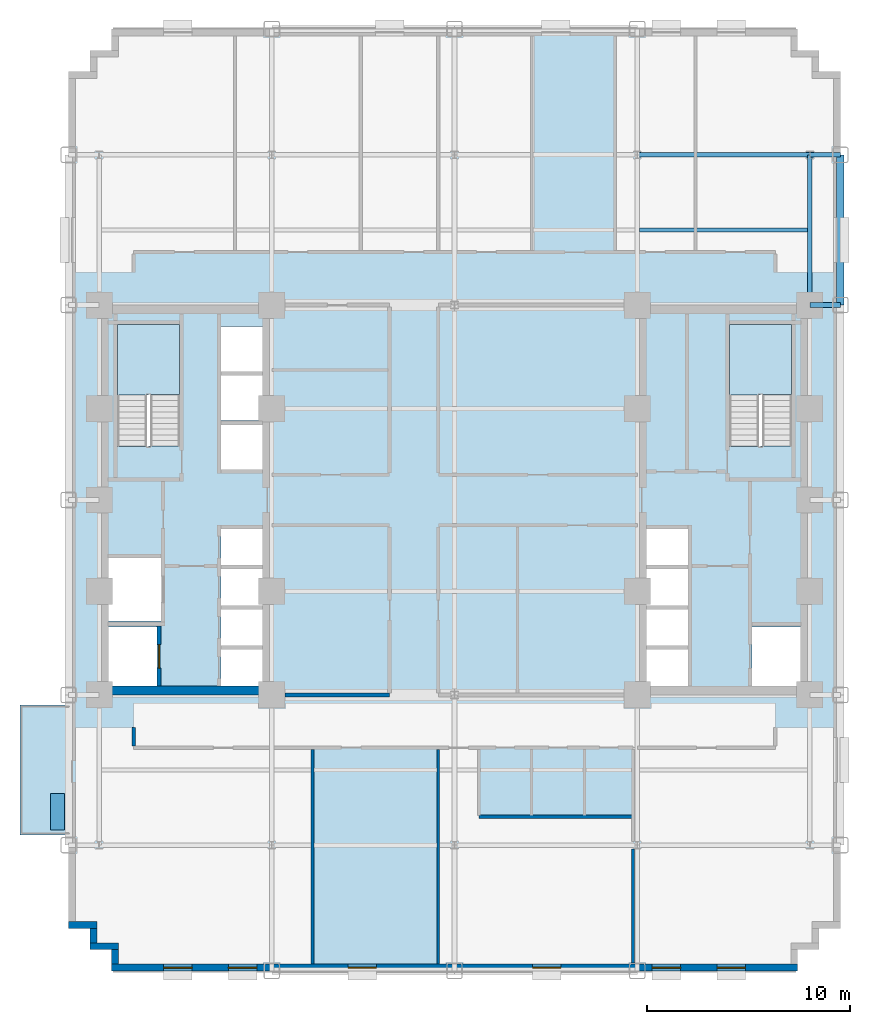
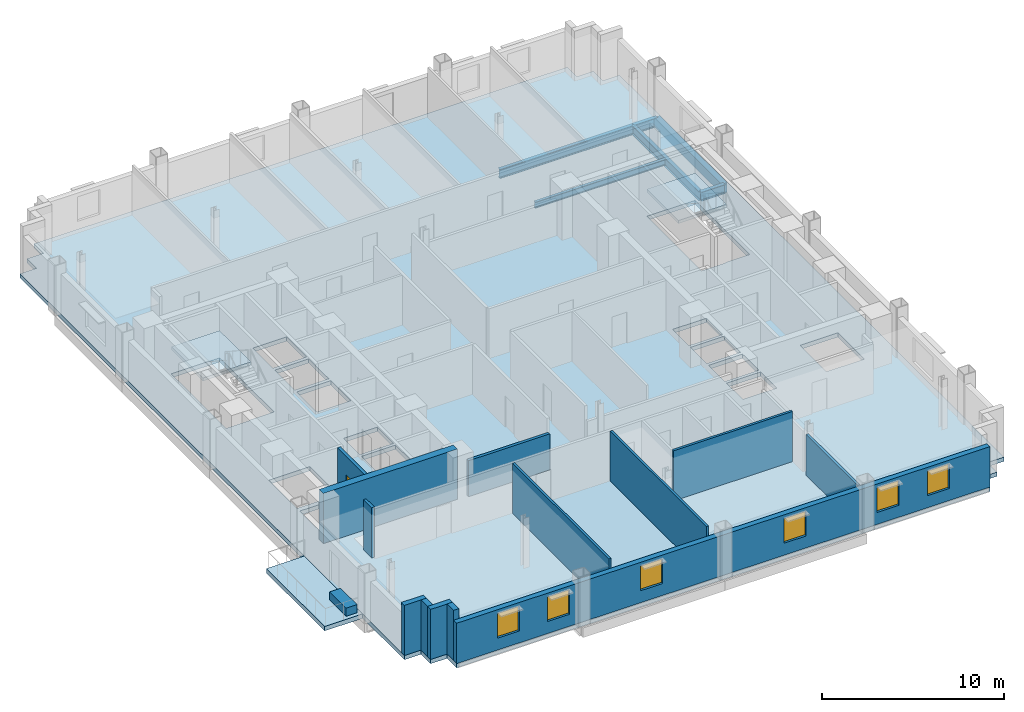
# One storey, part 4 of 12: 13 walls, 6 beams, 6 windows, 4 slabs, 1 door, 1 plate, 7 openings, 2 elements without a shape of their own.
"""IFC4 building model written with IfcOpenShell, lengths in metres."""

from ifc_helpers import new_model, si_unit, direction, frame, frame_2d, origin, origin_2d, place, context, subcontext, project, spatial, polyline, rectangle, i_section, outline, extrude, source, transform, mapped, material, layer, layer_set, material_profile, profile_set, type_object, type_shapes, element, fill, aggregate, save


model = new_model("IFC4")

# Units and contexts
model_context = context("Model", 3, precision=1e-05, world=origin(), true_north=direction((0.0, 1.0)))
body_context = subcontext(model_context, "Body", "Model", "MODEL_VIEW")
ifc_project = project(units=[si_unit("LENGTHUNIT", "METRE"), si_unit("AREAUNIT", "SQUARE_METRE"), si_unit("VOLUMEUNIT", "CUBIC_METRE"), si_unit("PLANEANGLEUNIT", "RADIAN"), si_unit("MASSUNIT", "GRAM", prefix="KILO")], contexts=[model_context])

# Site, building, storey
site_placement = place(None, origin())
site = spatial("IfcSite", under=ifc_project, at=site_placement, CompositionType="ELEMENT")
building_placement = place(site_placement, origin())
building = spatial("IfcBuilding", under=site, at=building_placement, Name="Nuvemarco Arch Tower", CompositionType="ELEMENT")
storey_placement = place(building_placement, frame((0.0, 0.0, 31.25)))
storey = spatial("IfcBuildingStorey", under=building, at=storey_placement, Name="L07", CompositionType="ELEMENT", Elevation=31.25)

# Beams
ifc_material_1 = material(Name="Steel S355", Category="steel")
ifc_material_profile_1 = material_profile(ifc_material_1, i_section(OverallWidth=0.22998046875, OverallDepth=0.616943359375, WebThickness=0.01318359375, FlangeThickness=0.022216796875, FilletRadius=0.01611328125, at=origin_2d()), Name="W610x140")
ifc_profile_set_1 = profile_set([ifc_material_profile_1], Name="Steel S355")
beam_type_1 = type_object("IfcBeamType", Name="BM-GIRD-610", PredefinedType="BEAM", material=ifc_profile_set_1)
beam_1_placement = place(storey_placement, frame((17.5, 9.60009765625, -0.58837890625), z_axis=(0.0, 1.0, 0.0), x_axis=(-1.0, 0.0, 0.0)))
element("IfcBeam", 1, at=beam_1_placement, inside=storey, type_object=beam_type_1, Name="L07 structural beam BGNS_L07_0_+17.5_+9.6", PredefinedType="BEAM", context=body_context, shape_type="SweptSolid", body=[
    extrude(i_section(OverallWidth=0.22998046875, OverallDepth=0.616943359375, WebThickness=0.01318359375, FlangeThickness=0.022216796875, FilletRadius=0.01611328125, at=origin_2d()), origin(), (0.0, 0.0, 1.0), 7.39990234375),
])
beam_2_placement = place(storey_placement, frame((17.5, 9.60009765625, -0.58837890625), z_axis=(1.0, 0.0, 0.0), x_axis=(0.0, 1.0, 0.0)))
element("IfcBeam", 2, at=beam_2_placement, inside=storey, type_object=beam_type_1, Name="L07 structural beam BGEW_L07_0_+9.6_+17.5", PredefinedType="BEAM", context=body_context, shape_type="SweptSolid", body=[
    extrude(i_section(OverallWidth=0.22998046875, OverallDepth=0.616943359375, WebThickness=0.01318359375, FlangeThickness=0.022216796875, FilletRadius=0.01611328125, at=origin_2d()), origin(), (0.0, 0.0, 1.0), 1.5),
])
beam_3_placement = place(storey_placement, frame((9.0, 17.0, -0.58837890625), z_axis=(1.0, 0.0, 0.0), x_axis=(0.0, 1.0, 0.0)))
element("IfcBeam", 3, at=beam_3_placement, inside=storey, type_object=beam_type_1, Name="L07 structural beam BGEW_L07_0_+17.0_+9.0", PredefinedType="BEAM", context=body_context, shape_type="SweptSolid", body=[
    extrude(i_section(OverallWidth=0.22998046875, OverallDepth=0.616943359375, WebThickness=0.01318359375, FlangeThickness=0.022216796875, FilletRadius=0.01611328125, at=origin_2d()), origin(), (0.0, 0.0, 1.0), 8.5),
])
beam_4_placement = place(storey_placement, frame((17.5, 17.0, -0.58837890625), z_axis=(1.0, 0.0, 0.0), x_axis=(0.0, 1.0, 0.0)))
element("IfcBeam", 4, at=beam_4_placement, inside=storey, type_object=beam_type_1, Name="L07 structural beam BGEW_L07_0_+17.0_+17.5", PredefinedType="BEAM", context=body_context, shape_type="SweptSolid", body=[
    extrude(i_section(OverallWidth=0.22998046875, OverallDepth=0.616943359375, WebThickness=0.01318359375, FlangeThickness=0.022216796875, FilletRadius=0.01611328125, at=origin_2d()), origin(), (0.0, 0.0, 1.0), 1.5),
])
ifc_material_profile_2 = material_profile(ifc_material_1, i_section(OverallWidth=0.179931640625, OverallDepth=0.4130859375, WebThickness=0.009765625, FlangeThickness=0.01611328125, FilletRadius=0.014892578125, at=origin_2d()), Name="W410x75")
ifc_profile_set_2 = profile_set([ifc_material_profile_2], Name="Steel S355")
beam_type_2 = type_object("IfcBeamType", Name="BM-JOIST-410", PredefinedType="JOIST", material=ifc_profile_set_2)
beam_5_placement = place(storey_placement, frame((9.114990234375, 13.300048828125, -0.486572265625), z_axis=(1.0, 0.0, 0.0), x_axis=(0.0, 1.0, 0.0)))
element("IfcBeam", 5, at=beam_5_placement, inside=storey, type_object=beam_type_2, Name="L07 structural beam BJ_L07_0_+13.3_+9.0", PredefinedType="JOIST", context=body_context, shape_type="SweptSolid", body=[
    extrude(i_section(OverallWidth=0.179931640625, OverallDepth=0.4130859375, WebThickness=0.009765625, FlangeThickness=0.01611328125, FilletRadius=0.014892578125, at=origin_2d()), origin(), (0.0, 0.0, 1.0), 8.27001953125),
])
ifc_material_2 = material(Name="Precast concrete C45/55", Category="concrete")
ifc_material_profile_3 = material_profile(ifc_material_2, rectangle(XDim=0.35009765625, YDim=0.64990234375, at=origin_2d()), Name="PC-SP-350x650")
ifc_profile_set_3 = profile_set([ifc_material_profile_3], Name="Precast concrete C45/55")
beam_type_3 = type_object("IfcBeamType", Name="BM-SPAN-RC", PredefinedType="SPANDREL", material=ifc_profile_set_3)
beam_6_placement = place(storey_placement, frame((19.0, 9.60009765625, -0.60498046875), z_axis=(0.0, 1.0, 0.0), x_axis=(-1.0, 0.0, 0.0)))
element("IfcBeam", 6, at=beam_6_placement, inside=storey, type_object=beam_type_3, Name="L07 structural beam BGNS_L07_0_+19.0_+9.6", PredefinedType="SPANDREL", context=body_context, shape_type="SweptSolid", body=[
    extrude(rectangle(XDim=0.35009765625, YDim=0.64990234375, at=origin_2d()), origin(), (0.0, 0.0, 1.0), 7.39990234375),
])

# Slab
ifc_material_3 = material(Name="Concrete C50/60", Category="concrete")
ifc_layer_1 = layer(ifc_material_3, 0.280029296875, Name="SL-FLR-280")
ifc_layer_set_1 = layer_set([ifc_layer_1], Name="Concrete C50/60")
slab_type_1 = type_object("IfcSlabType", Name="SL-FLR-280", PredefinedType="FLOOR", material=ifc_layer_set_1)
slab_1_placement = place(storey_placement, frame((0.0, 0.0, -0.280029296875)))
element("IfcSlab", 7, at=slab_1_placement, inside=storey, type_object=slab_type_1, Name="L07 structural floor slab", PredefinedType="FLOOR", context=body_context, shape_type="SweptSolid", body=[
    extrude(outline(polyline([(-16.89990234375, -23.199951171875), (16.89990234375, -23.199951171875), (16.89990234375, -22.14990234375), (17.949951171875, -22.14990234375), (17.949951171875, -21.10009765625), (19.0, -21.10009765625), (19.0, 21.10009765625), (17.949951171875, 21.10009765625), (17.949951171875, 22.14990234375), (16.89990234375, 22.14990234375), (16.89990234375, 23.199951171875), (-16.89990234375, 23.199951171875), (-16.89990234375, 22.14990234375), (-17.949951171875, 22.14990234375), (-17.949951171875, 21.10009765625), (-19.0, 21.10009765625), (-19.0, -21.10009765625), (-17.949951171875, -21.10009765625), (-17.949951171875, -22.14990234375), (-16.89990234375, -22.14990234375), (-16.89990234375, -23.199951171875)]), holes=[polyline([(-13.5400390625, 2.669921875), (-13.5400390625, 8.64990234375), (-16.60009765625, 8.64990234375), (-16.60009765625, 2.630615234375), (-15.070068359375, 2.630615234375), (-15.070068359375, 2.669921875), (-13.5400390625, 2.669921875)]), polyline([(16.60009765625, 2.669921875), (16.60009765625, 8.64990234375), (13.5400390625, 8.64990234375), (13.5400390625, 2.630615234375), (15.070068359375, 2.630615234375), (15.070068359375, 2.669921875), (16.60009765625, 2.669921875)]), polyline([(-17.050048828125, -9.14990234375), (-14.64990234375, -9.14990234375), (-14.64990234375, -6.25), (-17.050048828125, -6.25), (-17.050048828125, -9.14990234375)]), polyline([(-17.050048828125, -5.949951171875), (-14.449951171875, -5.949951171875), (-14.449951171875, -2.85009765625), (-17.050048828125, -2.85009765625), (-17.050048828125, -5.949951171875)]), polyline([(-11.5, -9.14990234375), (-9.35009765625, -9.14990234375), (-9.35009765625, -7.3701171875), (-11.5, -7.3701171875), (-11.5, -9.14990234375)]), polyline([(-11.5, -7.169921875), (-9.35009765625, -7.169921875), (-9.35009765625, -5.389892578125), (-11.5, -5.389892578125), (-11.5, -7.169921875)]), polyline([(-11.5, -5.18994140625), (-9.35009765625, -5.18994140625), (-9.35009765625, -3.409912109375), (-11.5, -3.409912109375), (-11.5, -5.18994140625)]), polyline([(-11.5, -3.2099609375), (-9.35009765625, -3.2099609375), (-9.35009765625, -1.429931640625), (-11.5, -1.429931640625), (-11.5, -3.2099609375)]), polyline([(-11.5, 1.5), (-9.35009765625, 1.5), (-9.35009765625, 3.699951171875), (-11.5, 3.699951171875), (-11.5, 1.5)]), polyline([(-11.5, 3.919921875), (-9.35009765625, 3.919921875), (-9.35009765625, 6.1201171875), (-11.5, 6.1201171875), (-11.5, 3.919921875)]), polyline([(-11.5, 6.340087890625), (-9.35009765625, 6.340087890625), (-9.35009765625, 8.5400390625), (-11.5, 8.5400390625), (-11.5, 6.340087890625)]), polyline([(14.64990234375, -9.14990234375), (17.050048828125, -9.14990234375), (17.050048828125, -6.25), (14.64990234375, -6.25), (14.64990234375, -9.14990234375)]), polyline([(9.35009765625, -9.14990234375), (11.5, -9.14990234375), (11.5, -7.3701171875), (9.35009765625, -7.3701171875), (9.35009765625, -9.14990234375)]), polyline([(9.35009765625, -7.169921875), (11.5, -7.169921875), (11.5, -5.389892578125), (9.35009765625, -5.389892578125), (9.35009765625, -7.169921875)]), polyline([(9.35009765625, -5.18994140625), (11.5, -5.18994140625), (11.5, -3.409912109375), (9.35009765625, -3.409912109375), (9.35009765625, -5.18994140625)]), polyline([(9.35009765625, -3.2099609375), (11.5, -3.2099609375), (11.5, -1.429931640625), (9.35009765625, -1.429931640625), (9.35009765625, -3.2099609375)])]), origin(), (0.0, 0.0, 1.0), 0.280029296875),
])

# Stair, slab
stair_type = type_object("IfcStairType", Name="ST-CORE-20R", PredefinedType="HALF_TURN_STAIR", material=ifc_material_2)
stair_1_placement = place(storey_placement, origin())
stair_1 = element("IfcStair", 8, at=stair_1_placement, inside=storey, type_object=stair_type, Name="L07 Protected Exit Stair ST-1", PredefinedType="HALF_TURN_STAIR")
ifc_layer_2 = layer(ifc_material_2, 0.199951171875, Name="SL-LANDING-200")
ifc_layer_set_2 = layer_set([ifc_layer_2], Name="Precast concrete C45/55")
slab_type_2 = type_object("IfcSlabType", Name="SL-LANDING-200", PredefinedType="LANDING", material=ifc_layer_set_2)
slab_2_placement = place(storey_placement, frame((0.0, 0.0, 1.625)))
slab_2 = element("IfcSlab", 9, at=slab_2_placement, type_object=slab_type_2, Name="ST-20R landing 1", PredefinedType="LANDING", context=body_context, shape_type="SweptSolid", body=[
    extrude(outline(polyline([(-13.5400390625, 5.189453125), (-13.5400390625, 8.64990234375), (-16.60009765625, 8.64990234375), (-16.60009765625, 5.169921875), (-15.070068359375, 5.169921875), (-15.070068359375, 5.189453125), (-13.5400390625, 5.189453125)])), origin(), (0.0, 0.0, 1.0), 0.199951171875),
])
aggregate(stair_1, [slab_2])

stair_2_placement = place(storey_placement, origin())
stair_2 = element("IfcStair", 10, at=stair_2_placement, inside=storey, type_object=stair_type, Name="L07 Protected Exit Stair ST-2", PredefinedType="HALF_TURN_STAIR")
slab_3_placement = place(storey_placement, frame((0.0, 0.0, 1.625)))
slab_3 = element("IfcSlab", 11, at=slab_3_placement, type_object=slab_type_2, Name="ST-20R landing 1", PredefinedType="LANDING", context=body_context, shape_type="SweptSolid", body=[
    extrude(outline(polyline([(16.60009765625, 5.189453125), (16.60009765625, 8.64990234375), (13.5400390625, 8.64990234375), (13.5400390625, 5.169921875), (15.070068359375, 5.169921875), (15.070068359375, 5.189453125), (16.60009765625, 5.189453125)])), origin(), (0.0, 0.0, 1.0), 0.199951171875),
])
aggregate(stair_2, [slab_3])

# Slab
ifc_layer_3 = layer(ifc_material_3, 0.294921875, Name="SL-TR4")
ifc_layer_set_3 = layer_set([ifc_layer_3], Name="Concrete C50/60")
slab_type_3 = type_object("IfcSlabType", Name="SL-TR4", PredefinedType="FLOOR", material=ifc_layer_set_3)
slab_4_placement = place(storey_placement, frame((0.0, 0.0, -0.294921875)))
element("IfcSlab", 12, at=slab_4_placement, inside=storey, type_object=slab_type_3, Name="L07 outdoor spiral terrace slab 1", PredefinedType="FLOOR", context=body_context, shape_type="SweptSolid", body=[
    extrude(outline(polyline([(-21.39990234375, -16.5), (-19.0, -16.5), (-19.0, -10.10009765625), (-21.39990234375, -10.10009765625), (-21.39990234375, -16.5)])), origin(), (0.0, 0.0, 1.0), 0.294921875),
])

# Plate
ifc_layer_4 = layer(ifc_material_2, 0.550048828125, Name="Tree Balcony Structural Planter")
ifc_layer_set_4 = layer_set([ifc_layer_4], Name="Precast concrete C45/55")
plate_type = type_object("IfcPlateType", Name="Tree Balcony Structural Planter", PredefinedType="USERDEFINED", material=ifc_layer_set_4)
shared_shape_1 = source(origin(), body_context, "Body", "SweptSolid", [
    extrude(rectangle(XDim=1.800048828125, YDim=0.699951171875, at=origin_2d()), origin(), (0.0, 0.0, 1.0), 0.550048828125),
])
type_shapes(plate_type, [shared_shape_1])
plate_placement = place(storey_placement, frame((-19.550048828125, -15.35009765625, 0.0), z_axis=(0.0, 0.0, 1.0), x_axis=(0.0, 1.0, 0.0)))
element("IfcPlate", 13, at=plate_placement, inside=storey, type_object=plate_type, Name="L07 Tree Balcony Structural Planter", ObjectType="PLANTER", PredefinedType="USERDEFINED", context=body_context, shape_type="MappedRepresentation", body=[
    mapped(shared_shape_1, transform((0.0, 0.0, 0.0), scale=1.0)),
])

# Wall, openings, windows
ifc_layer_5 = layer(ifc_material_2, 0.340087890625, Name="EW-LOW-340")
ifc_layer_set_5 = layer_set([ifc_layer_5], Name="Precast concrete C45/55")
wall_type_1 = type_object("IfcWallType", Name="EW-LOW-340", PredefinedType="STANDARD", material=ifc_layer_set_5)
wall_1_placement = place(storey_placement, frame((-16.89990234375, -23.030029296875, 0.0), z_axis=(0.0, 0.0, 1.0), x_axis=(1.0, 0.0, 0.0)))
wall_1 = element("IfcWall", 14, at=wall_1_placement, inside=storey, type_object=wall_type_1, Name="L07 exterior precast facade wall 1", PredefinedType="STANDARD", context=body_context, shape_type="SweptSolid", body=[
    extrude(rectangle(XDim=33.7998046875, YDim=0.340087890625, at=frame_2d((16.89990234375, 0.0))), origin(), (0.0, 0.0, 1.0), 2.705078125),
])
opening_1_placement = place(wall_1_placement, frame((2.5712890625, 0.0, 0.800048828125)))
opening_1 = element("IfcOpeningElement", 15, at=opening_1_placement, cuts=wall_1, Name="Opening WN-4", PredefinedType="OPENING", context=body_context, shape_type="SweptSolid", body=[
    extrude(rectangle(XDim=1.39990234375, YDim=1.64990234375, at=frame_2d((0.699951171875, 0.824951171875))), frame((0.0, 0.179931640625, 0.0), z_axis=(0.0, -1.0, 0.0), x_axis=(1.0, 0.0, 0.0)), (0.0, 0.0, 1.0), 0.360107421875),
])
opening_2_placement = place(wall_1_placement, frame((5.764404296875, 0.0, 0.800048828125)))
opening_2 = element("IfcOpeningElement", 16, at=opening_2_placement, cuts=wall_1, Name="Opening WN-4", PredefinedType="OPENING", context=body_context, shape_type="SweptSolid", body=[
    extrude(rectangle(XDim=1.39990234375, YDim=1.64990234375, at=frame_2d((0.699951171875, 0.824951171875))), frame((0.0, 0.179931640625, 0.0), z_axis=(0.0, -1.0, 0.0), x_axis=(1.0, 0.0, 0.0)), (0.0, 0.0, 1.0), 0.360107421875),
])
opening_3_placement = place(wall_1_placement, frame((11.656982421875, 0.0, 0.800048828125)))
opening_3 = element("IfcOpeningElement", 17, at=opening_3_placement, cuts=wall_1, Name="Opening WN-4", PredefinedType="OPENING", context=body_context, shape_type="SweptSolid", body=[
    extrude(rectangle(XDim=1.39990234375, YDim=1.64990234375, at=frame_2d((0.699951171875, 0.824951171875))), frame((0.0, 0.179931640625, 0.0), z_axis=(0.0, -1.0, 0.0), x_axis=(1.0, 0.0, 0.0)), (0.0, 0.0, 1.0), 0.360107421875),
])
opening_4_placement = place(wall_1_placement, frame((20.742919921875, 0.0, 0.800048828125)))
opening_4 = element("IfcOpeningElement", 18, at=opening_4_placement, cuts=wall_1, Name="Opening WN-4", PredefinedType="OPENING", context=body_context, shape_type="SweptSolid", body=[
    extrude(rectangle(XDim=1.39990234375, YDim=1.64990234375, at=frame_2d((0.699951171875, 0.824951171875))), frame((0.0, 0.179931640625, 0.0), z_axis=(0.0, -1.0, 0.0), x_axis=(1.0, 0.0, 0.0)), (0.0, 0.0, 1.0), 0.360107421875),
])
opening_5_placement = place(wall_1_placement, frame((26.6357421875, 0.0, 0.800048828125)))
opening_5 = element("IfcOpeningElement", 19, at=opening_5_placement, cuts=wall_1, Name="Opening WN-4", PredefinedType="OPENING", context=body_context, shape_type="SweptSolid", body=[
    extrude(rectangle(XDim=1.39990234375, YDim=1.64990234375, at=frame_2d((0.699951171875, 0.824951171875))), frame((0.0, 0.179931640625, 0.0), z_axis=(0.0, -1.0, 0.0), x_axis=(1.0, 0.0, 0.0)), (0.0, 0.0, 1.0), 0.360107421875),
])
opening_6_placement = place(wall_1_placement, frame((29.82861328125, 0.0, 0.800048828125)))
opening_6 = element("IfcOpeningElement", 20, at=opening_6_placement, cuts=wall_1, Name="Opening WN-4", PredefinedType="OPENING", context=body_context, shape_type="SweptSolid", body=[
    extrude(rectangle(XDim=1.39990234375, YDim=1.64990234375, at=frame_2d((0.699951171875, 0.824951171875))), frame((0.0, 0.179931640625, 0.0), z_axis=(0.0, -1.0, 0.0), x_axis=(1.0, 0.0, 0.0)), (0.0, 0.0, 1.0), 0.360107421875),
])
ifc_material_4 = material(Name="Insulated solar-control glass", Category="glass")
window_type = type_object("IfcWindowType", Name="WN-LOW-1400x1650", PartitioningType="SINGLE_PANEL", PredefinedType="WINDOW", material=ifc_material_4)
shared_shape_2 = source(origin(), body_context, "Body", "SweptSolid", [
    extrude(rectangle(XDim=1.39990234375, YDim=1.64990234375, at=frame_2d((0.699951171875, 0.824951171875))), frame((0.0, 0.030029296875, 0.0), z_axis=(0.0, -1.0, 0.0), x_axis=(1.0, 0.0, 0.0)), (0.0, 0.0, 1.0), 0.06005859375),
])
type_shapes(window_type, [shared_shape_2])
window_1_placement = place(opening_1_placement, origin())
window_1 = element("IfcWindow", 21, at=window_1_placement, inside=storey, type_object=window_type, Name="L07 punched facade window 1", OverallHeight=1.64990234375, OverallWidth=1.39990234375, PartitioningType="SINGLE_PANEL", PredefinedType="WINDOW", context=body_context, shape_type="MappedRepresentation", body=[
    mapped(shared_shape_2, transform((0.0, 0.0, 0.0), scale=1.0)),
])
fill(opening_1, window_1)
window_2_placement = place(opening_2_placement, origin())
window_2 = element("IfcWindow", 22, at=window_2_placement, inside=storey, type_object=window_type, Name="L07 punched facade window 2", OverallHeight=1.64990234375, OverallWidth=1.39990234375, PartitioningType="SINGLE_PANEL", PredefinedType="WINDOW", context=body_context, shape_type="MappedRepresentation", body=[
    mapped(shared_shape_2, transform((0.0, 0.0, 0.0), scale=1.0)),
])
fill(opening_2, window_2)
window_3_placement = place(opening_3_placement, origin())
window_3 = element("IfcWindow", 23, at=window_3_placement, inside=storey, type_object=window_type, Name="L07 punched facade window 3", OverallHeight=1.64990234375, OverallWidth=1.39990234375, PartitioningType="SINGLE_PANEL", PredefinedType="WINDOW", context=body_context, shape_type="MappedRepresentation", body=[
    mapped(shared_shape_2, transform((0.0, 0.0, 0.0), scale=1.0)),
])
fill(opening_3, window_3)
window_4_placement = place(opening_4_placement, origin())
window_4 = element("IfcWindow", 24, at=window_4_placement, inside=storey, type_object=window_type, Name="L07 punched facade window 5", OverallHeight=1.64990234375, OverallWidth=1.39990234375, PartitioningType="SINGLE_PANEL", PredefinedType="WINDOW", context=body_context, shape_type="MappedRepresentation", body=[
    mapped(shared_shape_2, transform((0.0, 0.0, 0.0), scale=1.0)),
])
fill(opening_4, window_4)
window_5_placement = place(opening_5_placement, origin())
window_5 = element("IfcWindow", 25, at=window_5_placement, inside=storey, type_object=window_type, Name="L07 punched facade window 6", OverallHeight=1.64990234375, OverallWidth=1.39990234375, PartitioningType="SINGLE_PANEL", PredefinedType="WINDOW", context=body_context, shape_type="MappedRepresentation", body=[
    mapped(shared_shape_2, transform((0.0, 0.0, 0.0), scale=1.0)),
])
fill(opening_5, window_5)
window_6_placement = place(opening_6_placement, origin())
window_6 = element("IfcWindow", 26, at=window_6_placement, inside=storey, type_object=window_type, Name="L07 punched facade window 7", OverallHeight=1.64990234375, OverallWidth=1.39990234375, PartitioningType="SINGLE_PANEL", PredefinedType="WINDOW", context=body_context, shape_type="MappedRepresentation", body=[
    mapped(shared_shape_2, transform((0.0, 0.0, 0.0), scale=1.0)),
])
fill(opening_6, window_6)

# Walls
wall_2_placement = place(storey_placement, frame((-19.0, -20.929931640625, 0.0), z_axis=(0.0, 0.0, 1.0), x_axis=(1.0, 0.0, 0.0)))
element("IfcWall", 27, at=wall_2_placement, inside=storey, type_object=wall_type_1, Name="L07 exterior precast facade wall 17", PredefinedType="STANDARD", context=body_context, shape_type="SweptSolid", body=[
    extrude(rectangle(XDim=1.389892578125, YDim=0.340087890625, at=frame_2d((0.69482421875, 0.0))), origin(), (0.0, 0.0, 1.0), 3.360107421875),
])
wall_3_placement = place(storey_placement, frame((-17.780029296875, -21.81396484375, 0.0), z_axis=(0.0, 0.0, 1.0), x_axis=(0.0, 1.0, 0.0)))
element("IfcWall", 28, at=wall_3_placement, inside=storey, type_object=wall_type_1, Name="L07 exterior precast facade wall 18", PredefinedType="STANDARD", context=body_context, shape_type="SweptSolid", body=[
    extrude(rectangle(XDim=0.718017578125, YDim=0.340087890625, at=frame_2d((0.35888671875, 0.0))), origin(), (0.0, 0.0, 1.0), 3.360107421875),
])
wall_4_placement = place(storey_placement, frame((-17.949951171875, -21.97998046875, 0.0), z_axis=(0.0, 0.0, 1.0), x_axis=(1.0, 0.0, 0.0)))
element("IfcWall", 29, at=wall_4_placement, inside=storey, type_object=wall_type_1, Name="L07 exterior precast facade wall 19", PredefinedType="STANDARD", context=body_context, shape_type="SweptSolid", body=[
    extrude(rectangle(XDim=1.389892578125, YDim=0.340087890625, at=frame_2d((0.69482421875, 0.0))), origin(), (0.0, 0.0, 1.0), 3.360107421875),
])
wall_5_placement = place(storey_placement, frame((-16.72998046875, -22.864013671875, 0.0), z_axis=(0.0, 0.0, 1.0), x_axis=(0.0, 1.0, 0.0)))
element("IfcWall", 30, at=wall_5_placement, inside=storey, type_object=wall_type_1, Name="L07 exterior precast facade wall 20", PredefinedType="STANDARD", context=body_context, shape_type="SweptSolid", body=[
    extrude(rectangle(XDim=0.718017578125, YDim=0.340087890625, at=frame_2d((0.35888671875, 0.0))), origin(), (0.0, 0.0, 1.0), 3.360107421875),
])
ifc_material_5 = material(Name="Concrete C60/75", Category="concrete")
ifc_layer_6 = layer(ifc_material_5, 0.449951171875, Name="WL-CORE-450")
ifc_layer_set_6 = layer_set([ifc_layer_6], Name="Concrete C60/75")
wall_type_2 = type_object("IfcWallType", Name="WL-CORE-450", PredefinedType="SHEAR", material=ifc_layer_set_6)
wall_6_placement = place(storey_placement, frame((-17.5, -9.375, 0.0), z_axis=(0.0, 0.0, 1.0), x_axis=(1.0, 0.0, 0.0)))
element("IfcWall", 31, at=wall_6_placement, inside=storey, type_object=wall_type_2, Name="L07 W-core shear wall S", PredefinedType="SHEAR", context=body_context, shape_type="SweptSolid", body=[
    extrude(rectangle(XDim=8.5, YDim=0.449951171875, at=frame_2d((4.25, 0.0))), origin(), (0.0, 0.0, 1.0), 3.3701171875),
])
ifc_material_6 = material(Name="Fire-rated gypsum drywall partition")
ifc_layer_7 = layer(ifc_material_6, 0.179931640625, Name="WL-CORR-180")
ifc_layer_set_7 = layer_set([ifc_layer_7], Name="Fire-rated gypsum drywall partition")
wall_type_3 = type_object("IfcWallType", Name="WL-CORR-180", PredefinedType="PARTITIONING", material=ifc_layer_set_7)
wall_7_placement = place(storey_placement, frame((-8.35400390625, -9.60009765625, 0.0), z_axis=(0.0, 0.0, 1.0), x_axis=(1.0, 0.0, 0.0)))
element("IfcWall", 32, at=wall_7_placement, inside=storey, type_object=wall_type_3, Name="L07 interior wall IW-L07-004", PredefinedType="PARTITIONING", context=body_context, shape_type="SweptSolid", body=[
    extrude(rectangle(XDim=5.154052734375, YDim=0.179931640625, at=frame_2d((2.5771484375, 0.0))), origin(), (0.0, 0.0, 1.0), 2.405029296875),
])
wall_8_placement = place(storey_placement, frame((-15.800048828125, -12.114013671875, 0.0), z_axis=(0.0, 0.0, 1.0), x_axis=(0.0, 1.0, 0.0)))
element("IfcWall", 33, at=wall_8_placement, inside=storey, type_object=wall_type_3, Name="L07 interior wall IW-L07-016", PredefinedType="PARTITIONING", context=body_context, shape_type="SweptSolid", body=[
    extrude(rectangle(XDim=0.9140625, YDim=0.179931640625, at=frame_2d((0.45703125, 0.0))), origin(), (0.0, 0.0, 1.0), 3.360107421875),
])
ifc_material_7 = material(Name="Gypsum plasterboard partition")
ifc_layer_8 = layer(ifc_material_7, 0.139892578125, Name="WL-ROOM-140")
ifc_layer_set_8 = layer_set([ifc_layer_8], Name="Gypsum plasterboard partition")
wall_type_4 = type_object("IfcWallType", Name="WL-ROOM-140", PredefinedType="PARTITIONING", material=ifc_layer_set_8)
for number, where, z_axis, x_axis, name in (
    (34, (-6.989990234375, -22.860107421875, 0.0), (0.0, 0.0, 1.0), (0.0, 1.0, 0.0), "L07 interior wall IW-L07-019"),
    (35, (-0.800048828125, -22.860107421875, 0.0), (0.0, 0.0, 1.0), (0.0, 1.0, 0.0), "L07 interior wall IW-L07-023"),
):
    element("IfcWall", number, at=place(storey_placement, frame(where, z_axis=z_axis, x_axis=x_axis)), inside=storey, type_object=wall_type_4, Name=name, PredefinedType="PARTITIONING", context=body_context, shape_type="SweptSolid", body=[
        extrude(rectangle(XDim=10.57421875, YDim=0.139892578125, at=frame_2d((5.287109375, 0.0))), origin(), (0.0, 0.0, 1.0), 3.360107421875),
    ])

# Wall, opening, door
ifc_layer_9 = layer(ifc_material_3, 0.199951171875, Name="WL-SHAFT-220")
ifc_layer_set_9 = layer_set([ifc_layer_9], Name="Concrete C50/60")
wall_type_5 = type_object("IfcWallType", Name="WL-SHAFT-220", PredefinedType="SHEAR", material=ifc_layer_set_9)
wall_9_placement = place(storey_placement, frame((-14.550048828125, -9.155029296875, 0.0), z_axis=(0.0, 0.0, 1.0), x_axis=(0.0, 1.0, 0.0)))
wall_9 = element("IfcWall", 36, at=wall_9_placement, inside=storey, type_object=wall_type_5, Name="L07 structural shaft wall SW-L07-W-SHE", PredefinedType="SHEAR", context=body_context, shape_type="SweptSolid", body=[
    extrude(rectangle(XDim=2.9599609375, YDim=0.199951171875, at=frame_2d((1.47998046875, 0.0))), origin(), (0.0, 0.0, 1.0), 3.3701171875),
])
opening_7_placement = place(wall_9_placement, frame((0.8798828125, 0.0, 0.0)))
opening_7 = element("IfcOpeningElement", 37, at=opening_7_placement, cuts=wall_9, Name="Opening LD-2", PredefinedType="OPENING", context=body_context, shape_type="SweptSolid", body=[
    extrude(rectangle(XDim=1.14990234375, YDim=2.14990234375, at=frame_2d((0.574951171875, 1.074951171875))), frame((0.0, 0.10986328125, 0.0), z_axis=(0.0, -1.0, 0.0), x_axis=(1.0, 0.0, 0.0)), (0.0, 0.0, 1.0), 0.219970703125),
])
ifc_material_8 = material(Name="Stainless steel lift door", Category="steel")
door_type = type_object("IfcDoorType", Name="DR-LIFT-FIRE", OperationType="DOUBLE_DOOR_SLIDING", PredefinedType="DOOR", material=ifc_material_8)
shared_shape_3 = source(origin(), body_context, "Body", "SweptSolid", [
    extrude(rectangle(XDim=1.14990234375, YDim=2.14990234375, at=frame_2d((0.574951171875, 1.074951171875))), frame((0.0, 0.02490234375, 0.0), z_axis=(0.0, -1.0, 0.0), x_axis=(1.0, 0.0, 0.0)), (0.0, 0.0, 1.0), 0.050048828125),
])
type_shapes(door_type, [shared_shape_3])
door_placement = place(opening_7_placement, origin())
door = element("IfcDoor", 38, at=door_placement, inside=storey, type_object=door_type, Name="L07 Lift landing sliding door FFL-1", OperationType="DOUBLE_DOOR_SLIDING", OverallHeight=2.14990234375, OverallWidth=1.14990234375, PredefinedType="DOOR", context=body_context, shape_type="MappedRepresentation", body=[
    mapped(shared_shape_3, transform((0.0, 0.0, 0.0), scale=1.0)),
])
fill(opening_7, door)

# Walls
ifc_material_9 = material(Name="Moisture-resistant gypsum partition")
ifc_layer_10 = layer(ifc_material_9, 0.14990234375, Name="WL-WET-150")
ifc_layer_set_10 = layer_set([ifc_layer_10], Name="Moisture-resistant gypsum partition")
wall_type_6 = type_object("IfcWallType", Name="WL-WET-150", PredefinedType="PARTITIONING", material=ifc_layer_set_10)
wall_10_placement = place(storey_placement, frame((1.199951171875, -15.60009765625, 0.0), z_axis=(0.0, 0.0, 1.0), x_axis=(1.0, 0.0, 0.0)))
element("IfcWall", 39, at=wall_10_placement, inside=storey, type_object=wall_type_6, Name="L07 interior wall IW-L07-001", PredefinedType="PARTITIONING", context=body_context, shape_type="SweptSolid", body=[
    extrude(rectangle(XDim=7.533935546875, YDim=0.14990234375, at=frame_2d((3.76708984375, 0.0))), origin(), (0.0, 0.0, 1.0), 3.360107421875),
])
wall_11_placement = place(storey_placement, frame((8.800048828125, -22.803955078125, 0.0), z_axis=(0.0, 0.0, 1.0), x_axis=(0.0, 1.0, 0.0)))
element("IfcWall", 40, at=wall_11_placement, inside=storey, type_object=wall_type_6, Name="L07 interior wall IW-L07-033", PredefinedType="PARTITIONING", context=body_context, shape_type="SweptSolid", body=[
    extrude(rectangle(XDim=5.6279296875, YDim=0.14990234375, at=frame_2d((2.81396484375, 0.0))), origin(), (0.0, 0.0, 1.0), 2.738037109375),
])

save(model, "model.ifc")
